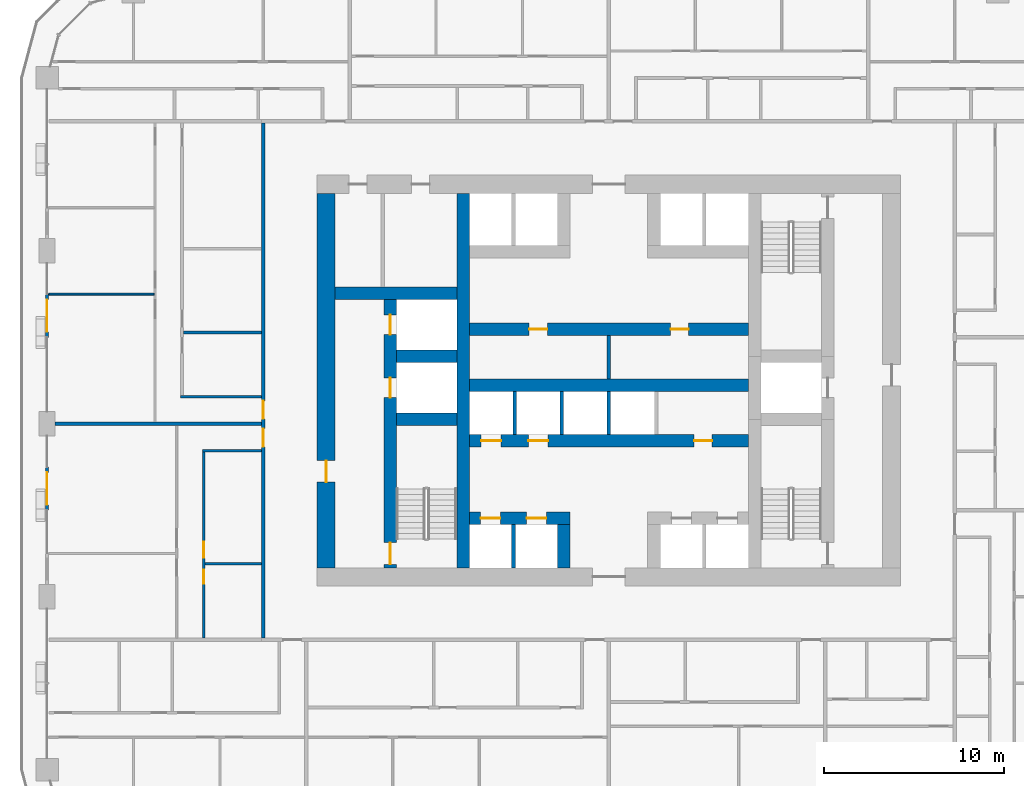
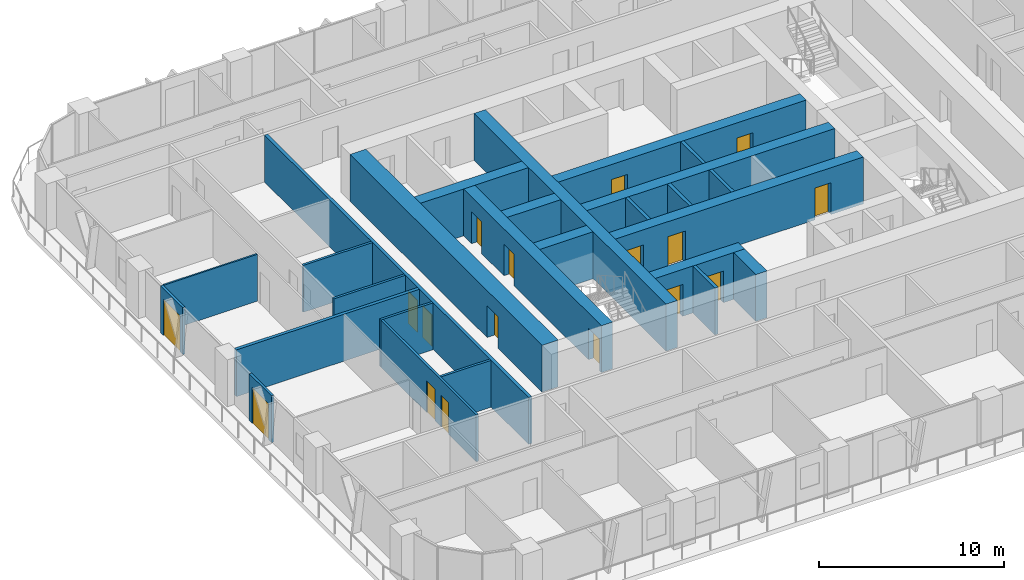
# One storey, part 10 of 21: 26 walls, 17 doors, 17 openings.
"""IFC4 building model written with IfcOpenShell, lengths in metres."""

from ifc_helpers import new_model, si_unit, direction, frame, frame_2d, origin, place, context, subcontext, project, spatial, rectangle, extrude, material, layer, layer_set, type_object, element, fill, save


model = new_model("IFC4")

# Units and contexts
model_context = context("Model", 3, precision=1e-05, world=origin(), true_north=direction((0.0, 1.0)))
body_context = subcontext(model_context, "Body", "Model", "MODEL_VIEW")
ifc_project = project(units=[si_unit("LENGTHUNIT", "METRE"), si_unit("AREAUNIT", "SQUARE_METRE"), si_unit("VOLUMEUNIT", "CUBIC_METRE"), si_unit("PLANEANGLEUNIT", "RADIAN"), si_unit("MASSUNIT", "GRAM", prefix="KILO")], contexts=[model_context])

# Site, building, storey
site_placement = place(None, origin())
site = spatial("IfcSite", under=ifc_project, at=site_placement, CompositionType="ELEMENT")
building_placement = place(site_placement, origin())
building = spatial("IfcBuilding", under=site, at=building_placement, Name="Madar Terraces", CompositionType="ELEMENT")
storey_placement = place(building_placement, frame((0.0, 0.0, 50.39990234375)))
storey = spatial("IfcBuildingStorey", under=building, at=storey_placement, Name="L12", CompositionType="ELEMENT", Elevation=50.39990234375)

# Wall, openings, doors
ifc_material_1 = material(Name="Concrete C80/95", Category="concrete")
ifc_layer_1 = layer(ifc_material_1, 0.699951171875)
ifc_layer_set_1 = layer_set([ifc_layer_1], Name="Concrete C80/95 (CIW1 RC wall 700)")
wall_type_1 = type_object("IfcWallType", Name="CIW1 RC wall 700", PredefinedType="SHEAR", material=ifc_layer_set_1)
wall_1_placement = place(storey_placement, frame((19.050048828125, 16.0, 0.0), z_axis=(0.0, 0.0, 1.0), x_axis=(0.0, 1.0, 0.0)))
wall_1 = element("IfcWall", 1, at=wall_1_placement, inside=storey, type_object=wall_type_1, Name="CORE SHAFT WALL", PredefinedType="SHEAR", context=body_context, shape_type="SweptSolid", body=[
    extrude(rectangle(XDim=14.89990234375, YDim=0.699951171875, at=frame_2d((7.449951171875, 0.0))), origin(), (0.0, 0.0, 1.0), 3.10009765625),
])
opening_1_placement = place(wall_1_placement, frame((9.449951171875, 0.0, 0.0)))
opening_1 = element("IfcOpeningElement", 2, at=opening_1_placement, cuts=wall_1, Name="Opening LD", PredefinedType="OPENING", context=body_context, shape_type="SweptSolid", body=[
    extrude(rectangle(XDim=1.10009765625, YDim=2.10009765625, at=frame_2d((0.550048828125, 1.050048828125))), frame((0.0, 0.35986328125, 0.0), z_axis=(0.0, -1.0, 0.0), x_axis=(1.0, 0.0, 0.0)), (0.0, 0.0, 1.0), 0.719970703125),
])
opening_2_placement = place(wall_1_placement, frame((12.949951171875, 0.0, 0.0)))
opening_2 = element("IfcOpeningElement", 3, at=opening_2_placement, cuts=wall_1, Name="Opening LD", PredefinedType="OPENING", context=body_context, shape_type="SweptSolid", body=[
    extrude(rectangle(XDim=1.10009765625, YDim=2.10009765625, at=frame_2d((0.550048828125, 1.050048828125))), frame((0.0, 0.35986328125, 0.0), z_axis=(0.0, -1.0, 0.0), x_axis=(1.0, 0.0, 0.0)), (0.0, 0.0, 1.0), 0.719970703125),
])
opening_3_placement = place(wall_1_placement, frame((0.199951171875, 0.0, 0.0)))
opening_3 = element("IfcOpeningElement", 4, at=opening_3_placement, cuts=wall_1, Name="Opening SD1", PredefinedType="OPENING", context=body_context, shape_type="SweptSolid", body=[
    extrude(rectangle(XDim=1.199951171875, YDim=2.10009765625, at=frame_2d((0.60009765625, 1.050048828125))), frame((0.0, 0.35986328125, 0.0), z_axis=(0.0, -1.0, 0.0), x_axis=(1.0, 0.0, 0.0)), (0.0, 0.0, 1.0), 0.719970703125),
])
ifc_material_2 = material(Name="Stainless steel panel", Category="steel")
door_type_1 = type_object("IfcDoorType", Name="Lift landing door 1100 x 2100", OperationType="DOUBLE_DOOR_SLIDING", PredefinedType="DOOR", material=ifc_material_2)
door_1_placement = place(opening_1_placement, origin())
door_1 = element("IfcDoor", 5, at=door_1_placement, inside=storey, type_object=door_type_1, Name="LIFT LANDING DOOR", OperationType="DOUBLE_DOOR_SLIDING", OverallHeight=2.10009765625, OverallWidth=1.10009765625, PredefinedType="DOOR", context=body_context, shape_type="SweptSolid", body=[
    extrude(rectangle(XDim=1.10009765625, YDim=2.10009765625, at=frame_2d((0.550048828125, 1.050048828125))), frame((0.0, 0.02490234375, 0.0), z_axis=(0.0, -1.0, 0.0), x_axis=(1.0, 0.0, 0.0)), (0.0, 0.0, 1.0), 0.050048828125),
])
fill(opening_1, door_1)
door_2_placement = place(opening_2_placement, origin())
door_2 = element("IfcDoor", 6, at=door_2_placement, inside=storey, type_object=door_type_1, Name="LIFT LANDING DOOR", OperationType="DOUBLE_DOOR_SLIDING", OverallHeight=2.10009765625, OverallWidth=1.10009765625, PredefinedType="DOOR", context=body_context, shape_type="SweptSolid", body=[
    extrude(rectangle(XDim=1.10009765625, YDim=2.10009765625, at=frame_2d((0.550048828125, 1.050048828125))), frame((0.0, 0.02490234375, 0.0), z_axis=(0.0, -1.0, 0.0), x_axis=(1.0, 0.0, 0.0)), (0.0, 0.0, 1.0), 0.050048828125),
])
fill(opening_2, door_2)
ifc_material_3 = material(Name="Steel door leaf", Category="steel")
door_type_2 = type_object("IfcDoorType", Name="Stair door 1200 x 2100", OperationType="NOTDEFINED", PredefinedType="DOOR", material=ifc_material_3)
door_3_placement = place(opening_3_placement, frame((1.199951171875, 0.0, 0.0), z_axis=(0.0, 0.0, 1.0), x_axis=(-1.0, 0.0, 0.0)))
door_3 = element("IfcDoor", 7, at=door_3_placement, inside=storey, type_object=door_type_2, Name="STAIR DOOR", OperationType="SINGLE_SWING_RIGHT", OverallHeight=2.10009765625, OverallWidth=1.199951171875, PredefinedType="DOOR", context=body_context, shape_type="SweptSolid", body=[
    extrude(rectangle(XDim=1.199951171875, YDim=2.10009765625, at=frame_2d((0.60009765625, 1.050048828125))), frame((0.0, 0.02490234375, 0.0), z_axis=(0.0, -1.0, 0.0), x_axis=(1.0, 0.0, 0.0)), (0.0, 0.0, 1.0), 0.050048828125),
])
fill(opening_3, door_3)

# Walls
wall_2_placement = place(storey_placement, frame((23.10009765625, 16.0, 0.0), z_axis=(0.0, 0.0, 1.0), x_axis=(0.0, 1.0, 0.0)))
element("IfcWall", 8, at=wall_2_placement, inside=storey, type_object=wall_type_1, Name="CORE SHAFT WALL", PredefinedType="SHEAR", context=body_context, shape_type="SweptSolid", body=[
    extrude(rectangle(XDim=20.800048828125, YDim=0.699951171875, at=frame_2d((10.39990234375, 0.0))), origin(), (0.0, 0.0, 1.0), 3.10009765625),
])
for number, where, z_axis, x_axis, name in (
    (9, (19.39990234375, 24.25, 0.0), (0.0, 0.0, 1.0), (1.0, 0.0, 0.0), "CORE SHAFT WALL"),
    (10, (19.39990234375, 27.75, 0.0), (0.0, 0.0, 1.0), (1.0, 0.0, 0.0), "CORE SHAFT WALL"),
):
    element("IfcWall", number, at=place(storey_placement, frame(where, z_axis=z_axis, x_axis=x_axis)), inside=storey, type_object=wall_type_1, Name=name, PredefinedType="SHEAR", context=body_context, shape_type="SweptSolid", body=[
        extrude(rectangle(XDim=3.35009765625, YDim=0.699951171875, at=frame_2d((1.675048828125, 0.0))), origin(), (0.0, 0.0, 1.0), 3.10009765625),
    ])
wall_3_placement = place(storey_placement, frame((16.0, 31.25, 0.0), z_axis=(0.0, 0.0, 1.0), x_axis=(1.0, 0.0, 0.0)))
element("IfcWall", 11, at=wall_3_placement, inside=storey, type_object=wall_type_1, Name="CORE SHAFT WALL", PredefinedType="SHEAR", context=body_context, shape_type="SweptSolid", body=[
    extrude(rectangle(XDim=6.75, YDim=0.699951171875, at=frame_2d((3.375, 0.0))), origin(), (0.0, 0.0, 1.0), 3.10009765625),
])

# Wall, openings, doors
wall_4_placement = place(storey_placement, frame((23.449951171875, 18.75, 0.0), z_axis=(0.0, 0.0, 1.0), x_axis=(1.0, 0.0, 0.0)))
wall_4 = element("IfcWall", 12, at=wall_4_placement, inside=storey, type_object=wall_type_1, Name="CORE SHAFT WALL", PredefinedType="SHEAR", context=body_context, shape_type="SweptSolid", body=[
    extrude(rectangle(XDim=5.60009765625, YDim=0.699951171875, at=frame_2d((2.800048828125, 0.0))), origin(), (0.0, 0.0, 1.0), 3.10009765625),
])
opening_4_placement = place(wall_4_placement, frame((0.625, 0.0, 0.0)))
opening_4 = element("IfcOpeningElement", 13, at=opening_4_placement, cuts=wall_4, Name="Opening LD", PredefinedType="OPENING", context=body_context, shape_type="SweptSolid", body=[
    extrude(rectangle(XDim=1.10009765625, YDim=2.10009765625, at=frame_2d((0.550048828125, 1.050048828125))), frame((0.0, 0.35986328125, 0.0), z_axis=(0.0, -1.0, 0.0), x_axis=(1.0, 0.0, 0.0)), (0.0, 0.0, 1.0), 0.719970703125),
])
opening_5_placement = place(wall_4_placement, frame((3.175048828125, 0.0, 0.0)))
opening_5 = element("IfcOpeningElement", 14, at=opening_5_placement, cuts=wall_4, Name="Opening LD", PredefinedType="OPENING", context=body_context, shape_type="SweptSolid", body=[
    extrude(rectangle(XDim=1.10009765625, YDim=2.10009765625, at=frame_2d((0.550048828125, 1.050048828125))), frame((0.0, 0.35986328125, 0.0), z_axis=(0.0, -1.0, 0.0), x_axis=(1.0, 0.0, 0.0)), (0.0, 0.0, 1.0), 0.719970703125),
])
door_4_placement = place(opening_4_placement, origin())
door_4 = element("IfcDoor", 15, at=door_4_placement, inside=storey, type_object=door_type_1, Name="LIFT LANDING DOOR", OperationType="DOUBLE_DOOR_SLIDING", OverallHeight=2.10009765625, OverallWidth=1.10009765625, PredefinedType="DOOR", context=body_context, shape_type="SweptSolid", body=[
    extrude(rectangle(XDim=1.10009765625, YDim=2.10009765625, at=frame_2d((0.550048828125, 1.050048828125))), frame((0.0, 0.02490234375, 0.0), z_axis=(0.0, -1.0, 0.0), x_axis=(1.0, 0.0, 0.0)), (0.0, 0.0, 1.0), 0.050048828125),
])
fill(opening_4, door_4)
door_5_placement = place(opening_5_placement, origin())
door_5 = element("IfcDoor", 16, at=door_5_placement, inside=storey, type_object=door_type_1, Name="LIFT LANDING DOOR", OperationType="DOUBLE_DOOR_SLIDING", OverallHeight=2.10009765625, OverallWidth=1.10009765625, PredefinedType="DOOR", context=body_context, shape_type="SweptSolid", body=[
    extrude(rectangle(XDim=1.10009765625, YDim=2.10009765625, at=frame_2d((0.550048828125, 1.050048828125))), frame((0.0, 0.02490234375, 0.0), z_axis=(0.0, -1.0, 0.0), x_axis=(1.0, 0.0, 0.0)), (0.0, 0.0, 1.0), 0.050048828125),
])
fill(opening_5, door_5)

wall_5_placement = place(storey_placement, frame((23.449951171875, 23.050048828125, 0.0), z_axis=(0.0, 0.0, 1.0), x_axis=(1.0, 0.0, 0.0)))
wall_5 = element("IfcWall", 17, at=wall_5_placement, inside=storey, type_object=wall_type_1, Name="CORE SHAFT WALL", PredefinedType="SHEAR", context=body_context, shape_type="SweptSolid", body=[
    extrude(rectangle(XDim=15.5, YDim=0.699951171875, at=frame_2d((7.75, 0.0))), origin(), (0.0, 0.0, 1.0), 3.10009765625),
])
opening_6_placement = place(wall_5_placement, frame((0.658447265625, 0.0, 0.0)))
opening_6 = element("IfcOpeningElement", 18, at=opening_6_placement, cuts=wall_5, Name="Opening LD", PredefinedType="OPENING", context=body_context, shape_type="SweptSolid", body=[
    extrude(rectangle(XDim=1.10009765625, YDim=2.10009765625, at=frame_2d((0.550048828125, 1.050048828125))), frame((0.0, 0.35986328125, 0.0), z_axis=(0.0, -1.0, 0.0), x_axis=(1.0, 0.0, 0.0)), (0.0, 0.0, 1.0), 0.719970703125),
])
opening_7_placement = place(wall_5_placement, frame((3.27490234375, 0.0, 0.0)))
opening_7 = element("IfcOpeningElement", 19, at=opening_7_placement, cuts=wall_5, Name="Opening LD", PredefinedType="OPENING", context=body_context, shape_type="SweptSolid", body=[
    extrude(rectangle(XDim=1.10009765625, YDim=2.10009765625, at=frame_2d((0.550048828125, 1.050048828125))), frame((0.0, 0.35986328125, 0.0), z_axis=(0.0, -1.0, 0.0), x_axis=(1.0, 0.0, 0.0)), (0.0, 0.0, 1.0), 0.719970703125),
])
opening_8_placement = place(wall_5_placement, frame((12.4833984375, 0.0, 0.0)))
opening_8 = element("IfcOpeningElement", 20, at=opening_8_placement, cuts=wall_5, Name="Opening KD2", PredefinedType="OPENING", context=body_context, shape_type="SweptSolid", body=[
    extrude(rectangle(XDim=1.0, YDim=2.10009765625, at=frame_2d((0.5, 1.050048828125))), frame((0.0, 0.35986328125, 0.0), z_axis=(0.0, -1.0, 0.0), x_axis=(1.0, 0.0, 0.0)), (0.0, 0.0, 1.0), 0.719970703125),
])
door_6_placement = place(opening_6_placement, origin())
door_6 = element("IfcDoor", 21, at=door_6_placement, inside=storey, type_object=door_type_1, Name="LIFT LANDING DOOR", OperationType="DOUBLE_DOOR_SLIDING", OverallHeight=2.10009765625, OverallWidth=1.10009765625, PredefinedType="DOOR", context=body_context, shape_type="SweptSolid", body=[
    extrude(rectangle(XDim=1.10009765625, YDim=2.10009765625, at=frame_2d((0.550048828125, 1.050048828125))), frame((0.0, 0.02490234375, 0.0), z_axis=(0.0, -1.0, 0.0), x_axis=(1.0, 0.0, 0.0)), (0.0, 0.0, 1.0), 0.050048828125),
])
fill(opening_6, door_6)
door_7_placement = place(opening_7_placement, origin())
door_7 = element("IfcDoor", 22, at=door_7_placement, inside=storey, type_object=door_type_1, Name="LIFT LANDING DOOR", OperationType="DOUBLE_DOOR_SLIDING", OverallHeight=2.10009765625, OverallWidth=1.10009765625, PredefinedType="DOOR", context=body_context, shape_type="SweptSolid", body=[
    extrude(rectangle(XDim=1.10009765625, YDim=2.10009765625, at=frame_2d((0.550048828125, 1.050048828125))), frame((0.0, 0.02490234375, 0.0), z_axis=(0.0, -1.0, 0.0), x_axis=(1.0, 0.0, 0.0)), (0.0, 0.0, 1.0), 0.050048828125),
])
fill(opening_7, door_7)
ifc_material_4 = material(Name="Steel door leaf", Category="steel")
door_type_3 = type_object("IfcDoorType", Name="Service room door 1000 x 2100", OperationType="NOTDEFINED", PredefinedType="DOOR", material=ifc_material_4)
door_8_placement = place(opening_8_placement, frame((1.0, 0.0, 0.0), z_axis=(0.0, 0.0, 1.0), x_axis=(-1.0, 0.0, 0.0)))
door_8 = element("IfcDoor", 23, at=door_8_placement, inside=storey, type_object=door_type_3, Name="SERVICE ROOM DOOR", OperationType="SINGLE_SWING_LEFT", OverallHeight=2.10009765625, OverallWidth=1.0, PredefinedType="DOOR", context=body_context, shape_type="SweptSolid", body=[
    extrude(rectangle(XDim=1.0, YDim=2.10009765625, at=frame_2d((0.5, 1.050048828125))), frame((0.0, 0.02490234375, 0.0), z_axis=(0.0, -1.0, 0.0), x_axis=(1.0, 0.0, 0.0)), (0.0, 0.0, 1.0), 0.050048828125),
])
fill(opening_8, door_8)

# Wall
wall_6_placement = place(storey_placement, frame((23.449951171875, 26.14990234375, 0.0), z_axis=(0.0, 0.0, 1.0), x_axis=(1.0, 0.0, 0.0)))
element("IfcWall", 24, at=wall_6_placement, inside=storey, type_object=wall_type_1, Name="CORE SHAFT WALL", PredefinedType="SHEAR", context=body_context, shape_type="SweptSolid", body=[
    extrude(rectangle(XDim=15.5, YDim=0.699951171875, at=frame_2d((7.75, 0.0))), origin(), (0.0, 0.0, 1.0), 3.10009765625),
])

# Wall, openings, doors
wall_7_placement = place(storey_placement, frame((23.449951171875, 29.25, 0.0), z_axis=(0.0, 0.0, 1.0), x_axis=(1.0, 0.0, 0.0)))
wall_7 = element("IfcWall", 25, at=wall_7_placement, inside=storey, type_object=wall_type_1, Name="CORE SHAFT WALL", PredefinedType="SHEAR", context=body_context, shape_type="SweptSolid", body=[
    extrude(rectangle(XDim=15.5, YDim=0.699951171875, at=frame_2d((7.75, 0.0))), origin(), (0.0, 0.0, 1.0), 3.10009765625),
])
opening_9_placement = place(wall_7_placement, frame((3.324951171875, 0.0, 0.0)))
opening_9 = element("IfcOpeningElement", 26, at=opening_9_placement, cuts=wall_7, Name="Opening KD2", PredefinedType="OPENING", context=body_context, shape_type="SweptSolid", body=[
    extrude(rectangle(XDim=1.0, YDim=2.10009765625, at=frame_2d((0.5, 1.050048828125))), frame((0.0, 0.35986328125, 0.0), z_axis=(0.0, -1.0, 0.0), x_axis=(1.0, 0.0, 0.0)), (0.0, 0.0, 1.0), 0.719970703125),
])
opening_10_placement = place(wall_7_placement, frame((11.175048828125, 0.0, 0.0)))
opening_10 = element("IfcOpeningElement", 27, at=opening_10_placement, cuts=wall_7, Name="Opening KD2", PredefinedType="OPENING", context=body_context, shape_type="SweptSolid", body=[
    extrude(rectangle(XDim=1.0, YDim=2.10009765625, at=frame_2d((0.5, 1.050048828125))), frame((0.0, 0.35986328125, 0.0), z_axis=(0.0, -1.0, 0.0), x_axis=(1.0, 0.0, 0.0)), (0.0, 0.0, 1.0), 0.719970703125),
])
door_9_placement = place(opening_9_placement, origin())
door_9 = element("IfcDoor", 28, at=door_9_placement, inside=storey, type_object=door_type_3, Name="SERVICE ROOM DOOR", OperationType="SINGLE_SWING_RIGHT", OverallHeight=2.10009765625, OverallWidth=1.0, PredefinedType="DOOR", context=body_context, shape_type="SweptSolid", body=[
    extrude(rectangle(XDim=1.0, YDim=2.10009765625, at=frame_2d((0.5, 1.050048828125))), frame((0.0, 0.02490234375, 0.0), z_axis=(0.0, -1.0, 0.0), x_axis=(1.0, 0.0, 0.0)), (0.0, 0.0, 1.0), 0.050048828125),
])
fill(opening_9, door_9)
door_10_placement = place(opening_10_placement, origin())
door_10 = element("IfcDoor", 29, at=door_10_placement, inside=storey, type_object=door_type_3, Name="SERVICE ROOM DOOR", OperationType="SINGLE_SWING_LEFT", OverallHeight=2.10009765625, OverallWidth=1.0, PredefinedType="DOOR", context=body_context, shape_type="SweptSolid", body=[
    extrude(rectangle(XDim=1.0, YDim=2.10009765625, at=frame_2d((0.5, 1.050048828125))), frame((0.0, 0.02490234375, 0.0), z_axis=(0.0, -1.0, 0.0), x_axis=(1.0, 0.0, 0.0)), (0.0, 0.0, 1.0), 0.050048828125),
])
fill(opening_10, door_10)

# Wall
wall_8_placement = place(storey_placement, frame((28.699951171875, 16.0, 0.0), z_axis=(0.0, 0.0, 1.0), x_axis=(0.0, 1.0, 0.0)))
element("IfcWall", 30, at=wall_8_placement, inside=storey, type_object=wall_type_1, Name="CORE SHAFT WALL", PredefinedType="SHEAR", context=body_context, shape_type="SweptSolid", body=[
    extrude(rectangle(XDim=2.39990234375, YDim=0.699951171875, at=frame_2d((1.199951171875, 0.0))), origin(), (0.0, 0.0, 1.0), 3.10009765625),
])

# Wall, opening, door
ifc_material_5 = material(Name="Concrete C80/95", Category="concrete")
ifc_layer_2 = layer(ifc_material_5, 1.0)
ifc_layer_set_2 = layer_set([ifc_layer_2], Name="Concrete C80/95 (CRW1 RC wall 1000)")
wall_type_2 = type_object("IfcWallType", Name="CRW1 RC wall 1000", PredefinedType="SHEAR", material=ifc_layer_set_2)
wall_9_placement = place(storey_placement, frame((15.5, 16.0, 0.0), z_axis=(0.0, 0.0, 1.0), x_axis=(0.0, 1.0, 0.0)))
wall_9 = element("IfcWall", 31, at=wall_9_placement, inside=storey, type_object=wall_type_2, Name="CORE OUTER WALL", PredefinedType="SHEAR", context=body_context, shape_type="SweptSolid", body=[
    extrude(rectangle(XDim=20.800048828125, YDim=1.0, at=frame_2d((10.39990234375, 0.0))), origin(), (0.0, 0.0, 1.0), 3.10009765625),
])
opening_11_placement = place(wall_9_placement, frame((4.760009765625, 0.0, 0.0)))
opening_11 = element("IfcOpeningElement", 32, at=opening_11_placement, cuts=wall_9, Name="Opening SD1", PredefinedType="OPENING", context=body_context, shape_type="SweptSolid", body=[
    extrude(rectangle(XDim=1.199951171875, YDim=2.10009765625, at=frame_2d((0.60009765625, 1.050048828125))), frame((0.0, 0.510009765625, 0.0), z_axis=(0.0, -1.0, 0.0), x_axis=(1.0, 0.0, 0.0)), (0.0, 0.0, 1.0), 1.02001953125),
])
door_11_placement = place(opening_11_placement, frame((1.199951171875, 0.0, 0.0), z_axis=(0.0, 0.0, 1.0), x_axis=(-1.0, 0.0, 0.0)))
door_11 = element("IfcDoor", 33, at=door_11_placement, inside=storey, type_object=door_type_2, Name="STAIR DOOR", OperationType="SINGLE_SWING_LEFT", OverallHeight=2.10009765625, OverallWidth=1.199951171875, PredefinedType="DOOR", context=body_context, shape_type="SweptSolid", body=[
    extrude(rectangle(XDim=1.199951171875, YDim=2.10009765625, at=frame_2d((0.60009765625, 1.050048828125))), frame((0.0, 0.02490234375, 0.0), z_axis=(0.0, -1.0, 0.0), x_axis=(1.0, 0.0, 0.0)), (0.0, 0.0, 1.0), 0.050048828125),
])
fill(opening_11, door_11)

# Walls
ifc_material_6 = material(Name="Masonry blockwork", Category="masonry")
ifc_layer_3 = layer(ifc_material_6, 0.199951171875)
ifc_layer_set_3 = layer_set([ifc_layer_3], Name="Core partition 200 blockwork")
wall_type_3 = type_object("IfcWallType", Name="Core partition 200 blockwork", PredefinedType="PARTITIONING", material=ifc_layer_set_3)
wall_10_placement = place(storey_placement, frame((31.199951171875, 26.5, 0.0), z_axis=(0.0, 0.0, 1.0), x_axis=(0.0, 1.0, 0.0)))
element("IfcWall", 34, at=wall_10_placement, inside=storey, type_object=wall_type_3, Name="SERVICE ROOM PARTITION", PredefinedType="PARTITIONING", context=body_context, shape_type="SweptSolid", body=[
    extrude(rectangle(XDim=2.39990234375, YDim=0.199951171875, at=frame_2d((1.199951171875, 0.0))), origin(), (0.0, 0.0, 1.0), 3.10009765625),
])
ifc_material_7 = material(Name="Concrete C40/50", Category="concrete")
ifc_layer_4 = layer(ifc_material_7, 0.199951171875)
ifc_layer_set_4 = layer_set([ifc_layer_4], Name="Core shaft dividing wall 200 C40/50")
wall_type_4 = type_object("IfcWallType", Name="Core shaft dividing wall 200 C40/50", PredefinedType="SOLIDWALL", material=ifc_layer_set_4)
for number, where, z_axis, x_axis, name in (
    (35, (25.966552734375, 23.39990234375, 0.0), (0.0, 0.0, 1.0), (0.0, 1.0, 0.0), "SHAFT DIVIDING WALL"),
    (36, (28.583251953125, 23.39990234375, 0.0), (0.0, 0.0, 1.0), (0.0, 1.0, 0.0), "SHAFT DIVIDING WALL"),
    (37, (31.199951171875, 23.39990234375, 0.0), (0.0, 0.0, 1.0), (0.0, 1.0, 0.0), "SHAFT DIVIDING WALL"),
):
    element("IfcWall", number, at=place(storey_placement, frame(where, z_axis=z_axis, x_axis=x_axis)), inside=storey, type_object=wall_type_4, Name=name, PredefinedType="SOLIDWALL", context=body_context, shape_type="SweptSolid", body=[
        extrude(rectangle(XDim=2.400146484375, YDim=0.199951171875, at=frame_2d((1.2001953125, 0.0))), origin(), (0.0, 0.0, 1.0), 3.10009765625),
    ])
wall_11_placement = place(storey_placement, frame((25.89990234375, 16.0, 0.0), z_axis=(0.0, 0.0, 1.0), x_axis=(0.0, 1.0, 0.0)))
element("IfcWall", 38, at=wall_11_placement, inside=storey, type_object=wall_type_4, Name="SHAFT DIVIDING WALL", PredefinedType="SOLIDWALL", context=body_context, shape_type="SweptSolid", body=[
    extrude(rectangle(XDim=2.39990234375, YDim=0.199951171875, at=frame_2d((1.199951171875, 0.0))), origin(), (0.0, 0.0, 1.0), 3.10009765625),
])

# Wall, opening, door
ifc_material_8 = material(Name="Aluminium composite panel, black, over insulated backing", Category="aluminium")
ifc_layer_5 = layer(ifc_material_8, 0.14990234375)
ifc_layer_set_5 = layer_set([ifc_layer_5], Name="Facade bay panel 150")
wall_type_5 = type_object("IfcWallType", Name="Facade bay panel 150", PredefinedType="SOLIDWALL", material=ifc_layer_set_5)
wall_12_placement = place(storey_placement, frame((0.0, 31.199951171875, 0.0), z_axis=(0.0, 0.0, 1.0), x_axis=(0.0, -1.0, 0.0)))
wall_12 = element("IfcWall", 39, at=wall_12_placement, inside=storey, type_object=wall_type_5, Name="Facade bay panel", PredefinedType="SOLIDWALL", context=body_context, shape_type="SweptSolid", body=[
    extrude(rectangle(XDim=2.39990234375, YDim=0.14990234375, at=frame_2d((1.199951171875, 0.0))), origin(), (0.0, 0.0, 1.0), 3.10009765625),
])
opening_12_placement = place(wall_12_placement, frame((0.300048828125, 0.0, 0.0)))
opening_12 = element("IfcOpeningElement", 40, at=opening_12_placement, cuts=wall_12, Name="Opening ED1", PredefinedType="OPENING", context=body_context, shape_type="SweptSolid", body=[
    extrude(rectangle(XDim=1.800048828125, YDim=2.39990234375, at=frame_2d((0.89990234375, 1.199951171875))), frame((0.0, 0.0849609375, 0.0), z_axis=(0.0, -1.0, 0.0), x_axis=(1.0, 0.0, 0.0)), (0.0, 0.0, 1.0), 0.169921875),
])
ifc_material_9 = material(Name="Glass, clear, with black aluminium frame", Category="aluminium")
door_type_4 = type_object("IfcDoorType", Name="Balcony and terrace sliding door 1800 x 2400", OperationType="SLIDING_TO_LEFT", PredefinedType="DOOR", material=ifc_material_9)
door_12_placement = place(opening_12_placement, origin())
door_12 = element("IfcDoor", 41, at=door_12_placement, inside=storey, type_object=door_type_4, Name="Balcony door", OperationType="SLIDING_TO_LEFT", OverallHeight=2.39990234375, OverallWidth=1.800048828125, PredefinedType="DOOR", context=body_context, shape_type="SweptSolid", body=[
    extrude(rectangle(XDim=1.800048828125, YDim=2.39990234375, at=frame_2d((0.89990234375, 1.199951171875))), frame((0.0, 0.02490234375, 0.0), z_axis=(0.0, -1.0, 0.0), x_axis=(1.0, 0.0, 0.0)), (0.0, 0.0, 1.0), 0.050048828125),
])
fill(opening_12, door_12)

wall_13_placement = place(storey_placement, frame((0.0, 21.60009765625, 0.0), z_axis=(0.0, 0.0, 1.0), x_axis=(0.0, -1.0, 0.0)))
wall_13 = element("IfcWall", 42, at=wall_13_placement, inside=storey, type_object=wall_type_5, Name="Facade bay panel", PredefinedType="SOLIDWALL", context=body_context, shape_type="SweptSolid", body=[
    extrude(rectangle(XDim=2.400146484375, YDim=0.14990234375, at=frame_2d((1.2001953125, 0.0))), origin(), (0.0, 0.0, 1.0), 3.10009765625),
])
opening_13_placement = place(wall_13_placement, frame((0.300048828125, 0.0, 0.0)))
opening_13 = element("IfcOpeningElement", 43, at=opening_13_placement, cuts=wall_13, Name="Opening ED1", PredefinedType="OPENING", context=body_context, shape_type="SweptSolid", body=[
    extrude(rectangle(XDim=1.800048828125, YDim=2.39990234375, at=frame_2d((0.89990234375, 1.199951171875))), frame((0.0, 0.0849609375, 0.0), z_axis=(0.0, -1.0, 0.0), x_axis=(1.0, 0.0, 0.0)), (0.0, 0.0, 1.0), 0.169921875),
])
door_13_placement = place(opening_13_placement, origin())
door_13 = element("IfcDoor", 44, at=door_13_placement, inside=storey, type_object=door_type_4, Name="Balcony door", OperationType="SLIDING_TO_RIGHT", OverallHeight=2.39990234375, OverallWidth=1.800048828125, PredefinedType="DOOR", context=body_context, shape_type="SweptSolid", body=[
    extrude(rectangle(XDim=1.800048828125, YDim=2.39990234375, at=frame_2d((0.89990234375, 1.199951171875))), frame((0.0, 0.02490234375, 0.0), z_axis=(0.0, -1.0, 0.0), x_axis=(1.0, 0.0, 0.0)), (0.0, 0.0, 1.0), 0.050048828125),
])
fill(opening_13, door_13)

# Wall
ifc_material_10 = material(Name="Gypsum board on steel studs", Category="steel")
ifc_layer_6 = layer(ifc_material_10, 0.10009765625)
ifc_layer_set_6 = layer_set([ifc_layer_6], Name="Flat partition 100")
wall_type_6 = type_object("IfcWallType", Name="Flat partition 100", PredefinedType="PARTITIONING", material=ifc_layer_set_6)
wall_14_placement = place(storey_placement, frame((5.949951171875, 31.199951171875, 0.0), z_axis=(0.0, 0.0, 1.0), x_axis=(-1.0, 0.0, 0.0)))
element("IfcWall", 45, at=wall_14_placement, inside=storey, type_object=wall_type_6, Name="Flat partition 100", PredefinedType="PARTITIONING", context=body_context, shape_type="SweptSolid", body=[
    extrude(rectangle(XDim=5.849853515625, YDim=0.10009765625, at=frame_2d((2.9248046875, 0.0))), origin(), (0.0, 0.0, 1.0), 3.10009765625),
])

# Wall, openings, doors
ifc_material_11 = material(Name="Lightweight blockwork", Category="masonry")
ifc_layer_7 = layer(ifc_material_11, 0.199951171875)
ifc_layer_set_7 = layer_set([ifc_layer_7], Name="Flat party and entrance wall 200")
wall_type_7 = type_object("IfcWallType", Name="Flat party and entrance wall 200", PredefinedType="PARTITIONING", material=ifc_layer_set_7)
wall_15_placement = place(storey_placement, frame((12.0, 12.10009765625, 0.0), z_axis=(0.0, 0.0, 1.0), x_axis=(0.0, 1.0, 0.0)))
wall_15 = element("IfcWall", 46, at=wall_15_placement, inside=storey, type_object=wall_type_7, Name="Flat party and entrance wall 200", PredefinedType="PARTITIONING", context=body_context, shape_type="SweptSolid", body=[
    extrude(rectangle(XDim=28.599853515625, YDim=0.199951171875, at=frame_2d((14.2998046875, 0.0))), origin(), (0.0, 0.0, 1.0), 3.10009765625),
])
opening_14_placement = place(wall_15_placement, frame((12.175048828125, 0.0, 0.0)))
opening_14 = element("IfcOpeningElement", 47, at=opening_14_placement, cuts=wall_15, Name="Opening D1", PredefinedType="OPENING", context=body_context, shape_type="SweptSolid", body=[
    extrude(rectangle(XDim=1.0, YDim=2.10009765625, at=frame_2d((0.5, 1.050048828125))), frame((0.0, 0.10986328125, 0.0), z_axis=(0.0, -1.0, 0.0), x_axis=(1.0, 0.0, 0.0)), (0.0, 0.0, 1.0), 0.219970703125),
])
opening_15_placement = place(wall_15_placement, frame((10.625, 0.0, 0.0)))
opening_15 = element("IfcOpeningElement", 48, at=opening_15_placement, cuts=wall_15, Name="Opening D1", PredefinedType="OPENING", context=body_context, shape_type="SweptSolid", body=[
    extrude(rectangle(XDim=1.0, YDim=2.10009765625, at=frame_2d((0.5, 1.050048828125))), frame((0.0, 0.10986328125, 0.0), z_axis=(0.0, -1.0, 0.0), x_axis=(1.0, 0.0, 0.0)), (0.0, 0.0, 1.0), 0.219970703125),
])
ifc_material_12 = material(Name="Timber fire door leaf", Category="wood")
door_type_5 = type_object("IfcDoorType", Name="Flat entrance door 1000 FD30S", OperationType="NOTDEFINED", PredefinedType="DOOR", material=ifc_material_12)
door_14_placement = place(opening_14_placement, origin())
door_14 = element("IfcDoor", 49, at=door_14_placement, inside=storey, type_object=door_type_5, Name="Flat entrance door 1000 FD30S", OperationType="SINGLE_SWING_LEFT", OverallHeight=2.10009765625, OverallWidth=1.0, PredefinedType="DOOR", context=body_context, shape_type="SweptSolid", body=[
    extrude(rectangle(XDim=1.0, YDim=2.10009765625, at=frame_2d((0.5, 1.050048828125))), frame((0.0, 0.02490234375, 0.0), z_axis=(0.0, -1.0, 0.0), x_axis=(1.0, 0.0, 0.0)), (0.0, 0.0, 1.0), 0.050048828125),
])
fill(opening_14, door_14)
door_15_placement = place(opening_15_placement, origin())
door_15 = element("IfcDoor", 50, at=door_15_placement, inside=storey, type_object=door_type_5, Name="Flat entrance door 1000 FD30S", OperationType="SINGLE_SWING_RIGHT", OverallHeight=2.10009765625, OverallWidth=1.0, PredefinedType="DOOR", context=body_context, shape_type="SweptSolid", body=[
    extrude(rectangle(XDim=1.0, YDim=2.10009765625, at=frame_2d((0.5, 1.050048828125))), frame((0.0, 0.02490234375, 0.0), z_axis=(0.0, -1.0, 0.0), x_axis=(1.0, 0.0, 0.0)), (0.0, 0.0, 1.0), 0.050048828125),
])
fill(opening_15, door_15)

# Walls
wall_16_placement = place(storey_placement, frame((0.449951171875, 24.0, 0.0), z_axis=(0.0, 0.0, 1.0), x_axis=(1.0, 0.0, 0.0)))
element("IfcWall", 51, at=wall_16_placement, inside=storey, type_object=wall_type_7, Name="Flat party and entrance wall 200", PredefinedType="PARTITIONING", context=body_context, shape_type="SweptSolid", body=[
    extrude(rectangle(XDim=11.449951171875, YDim=0.199951171875, at=frame_2d((5.72509765625, 0.0))), origin(), (0.0, 0.0, 1.0), 3.10009765625),
])
ifc_material_13 = material(Name="Lightweight blockwork", Category="masonry")
ifc_layer_8 = layer(ifc_material_13, 0.14990234375)
ifc_layer_set_8 = layer_set([ifc_layer_8], Name="Flat wet-room partition 150")
wall_type_8 = type_object("IfcWallType", Name="Flat wet-room partition 150", PredefinedType="PARTITIONING", material=ifc_layer_set_8)
wall_17_placement = place(storey_placement, frame((11.89990234375, 29.0654296875, 0.0), z_axis=(0.0, 0.0, 1.0), x_axis=(-1.0, 0.0, 0.0)))
element("IfcWall", 52, at=wall_17_placement, inside=storey, type_object=wall_type_8, Name="Flat wet-room partition 150", PredefinedType="PARTITIONING", context=body_context, shape_type="SweptSolid", body=[
    extrude(rectangle(XDim=4.324951171875, YDim=0.14990234375, at=frame_2d((2.16259765625, 0.0))), origin(), (0.0, 0.0, 1.0), 3.10009765625),
])
wall_18_placement = place(storey_placement, frame((11.89990234375, 25.5, 0.0), z_axis=(0.0, 0.0, 1.0), x_axis=(-1.0, 0.0, 0.0)))
element("IfcWall", 53, at=wall_18_placement, inside=storey, type_object=wall_type_8, Name="Flat wet-room partition 150", PredefinedType="PARTITIONING", context=body_context, shape_type="SweptSolid", body=[
    extrude(rectangle(XDim=4.474853515625, YDim=0.14990234375, at=frame_2d((2.2373046875, 0.0))), origin(), (0.0, 0.0, 1.0), 3.10009765625),
])
wall_19_placement = place(storey_placement, frame((11.89990234375, 16.22998046875, 0.0), z_axis=(0.0, 0.0, 1.0), x_axis=(-1.0, 0.0, 0.0)))
element("IfcWall", 54, at=wall_19_placement, inside=storey, type_object=wall_type_8, Name="Flat wet-room partition 150", PredefinedType="PARTITIONING", context=body_context, shape_type="SweptSolid", body=[
    extrude(rectangle(XDim=3.125, YDim=0.14990234375, at=frame_2d((1.5625, 0.0))), origin(), (0.0, 0.0, 1.0), 3.10009765625),
])
wall_20_placement = place(storey_placement, frame((11.89990234375, 22.5, 0.0), z_axis=(0.0, 0.0, 1.0), x_axis=(-1.0, 0.0, 0.0)))
element("IfcWall", 55, at=wall_20_placement, inside=storey, type_object=wall_type_8, Name="Flat wet-room partition 150", PredefinedType="PARTITIONING", context=body_context, shape_type="SweptSolid", body=[
    extrude(rectangle(XDim=3.27490234375, YDim=0.14990234375, at=frame_2d((1.637451171875, 0.0))), origin(), (0.0, 0.0, 1.0), 3.10009765625),
])

# Wall, openings, doors
wall_21_placement = place(storey_placement, frame((8.699951171875, 22.425048828125, 0.0), z_axis=(0.0, 0.0, 1.0), x_axis=(0.0, -1.0, 0.0)))
wall_21 = element("IfcWall", 56, at=wall_21_placement, inside=storey, type_object=wall_type_8, Name="Flat wet-room partition 150", PredefinedType="PARTITIONING", context=body_context, shape_type="SweptSolid", body=[
    extrude(rectangle(XDim=10.324951171875, YDim=0.14990234375, at=frame_2d((5.16259765625, 0.0))), origin(), (0.0, 0.0, 1.0), 3.10009765625),
])
opening_16_placement = place(wall_21_placement, frame((4.969970703125, 0.0, 0.0)))
opening_16 = element("IfcOpeningElement", 57, at=opening_16_placement, cuts=wall_21, Name="Opening D2", PredefinedType="OPENING", context=body_context, shape_type="SweptSolid", body=[
    extrude(rectangle(XDim=0.89990234375, YDim=2.10009765625, at=frame_2d((0.449951171875, 1.050048828125))), frame((0.0, 0.0849609375, 0.0), z_axis=(0.0, -1.0, 0.0), x_axis=(1.0, 0.0, 0.0)), (0.0, 0.0, 1.0), 0.169921875),
])
opening_17_placement = place(wall_21_placement, frame((6.52001953125, 0.0, 0.0)))
opening_17 = element("IfcOpeningElement", 58, at=opening_17_placement, cuts=wall_21, Name="Opening D4", PredefinedType="OPENING", context=body_context, shape_type="SweptSolid", body=[
    extrude(rectangle(XDim=0.800048828125, YDim=2.10009765625, at=frame_2d((0.39990234375, 1.050048828125))), frame((0.0, 0.0849609375, 0.0), z_axis=(0.0, -1.0, 0.0), x_axis=(1.0, 0.0, 0.0)), (0.0, 0.0, 1.0), 0.169921875),
])
ifc_material_14 = material(Name="Timber door leaf", Category="wood")
door_type_6 = type_object("IfcDoorType", Name="Flat bathroom door 800", OperationType="NOTDEFINED", PredefinedType="DOOR", material=ifc_material_14)
door_16_placement = place(opening_17_placement, origin())
door_16 = element("IfcDoor", 59, at=door_16_placement, inside=storey, type_object=door_type_6, Name="Flat bathroom door 800", OperationType="SINGLE_SWING_LEFT", OverallHeight=2.10009765625, OverallWidth=0.800048828125, PredefinedType="DOOR", context=body_context, shape_type="SweptSolid", body=[
    extrude(rectangle(XDim=0.800048828125, YDim=2.10009765625, at=frame_2d((0.39990234375, 1.050048828125))), frame((0.0, 0.02490234375, 0.0), z_axis=(0.0, -1.0, 0.0), x_axis=(1.0, 0.0, 0.0)), (0.0, 0.0, 1.0), 0.050048828125),
])
fill(opening_17, door_16)
ifc_material_15 = material(Name="Timber door leaf", Category="wood")
door_type_7 = type_object("IfcDoorType", Name="Flat room door 900", OperationType="NOTDEFINED", PredefinedType="DOOR", material=ifc_material_15)
door_17_placement = place(opening_16_placement, origin())
door_17 = element("IfcDoor", 60, at=door_17_placement, inside=storey, type_object=door_type_7, Name="Flat room door 900", OperationType="SINGLE_SWING_RIGHT", OverallHeight=2.10009765625, OverallWidth=0.89990234375, PredefinedType="DOOR", context=body_context, shape_type="SweptSolid", body=[
    extrude(rectangle(XDim=0.89990234375, YDim=2.10009765625, at=frame_2d((0.449951171875, 1.050048828125))), frame((0.0, 0.02490234375, 0.0), z_axis=(0.0, -1.0, 0.0), x_axis=(1.0, 0.0, 0.0)), (0.0, 0.0, 1.0), 0.050048828125),
])
fill(opening_16, door_17)

save(model, "model.ifc")
